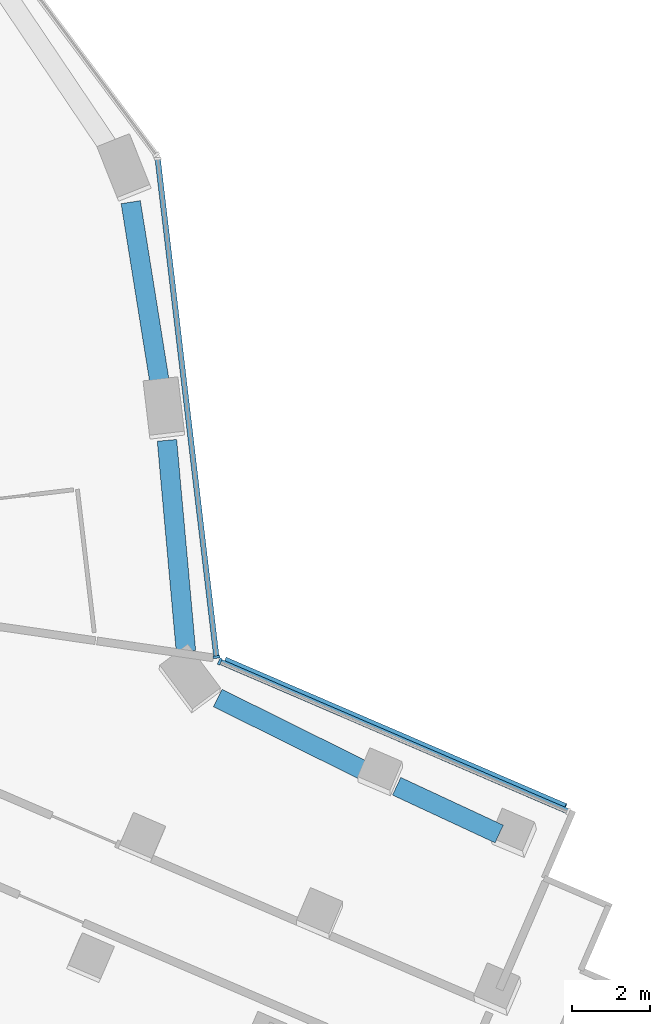
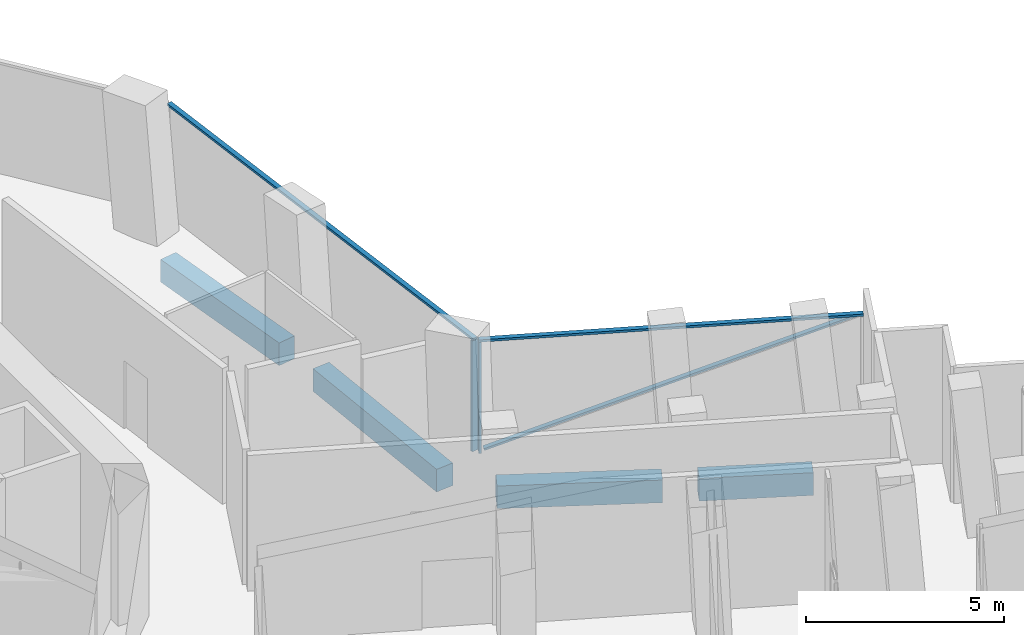
# One storey, part 5 of 17: 5 members, 4 beams, 2 elements without a shape of their own.
"""IFC4 building model written with IfcOpenShell, lengths in metres."""

import ifcopenshell
import ifcopenshell.guid

model = None  # the IFC model being written
_history = None  # IfcOwnerHistory: only IFC2X3 demands one
_inside = {}  # id of a spatial element -> (the spatial element, [elements in it])
_under = {}  # id of a project, library or spatial element -> (it, [spatial elements below it])
_declared = {}  # id of a project -> (the project, [libraries it declares])
_typed = {}  # id of a type object -> (the type object, [elements of that type])
_made_of = {}  # id of a material, layer set ... -> (it, [elements and type objects made of it])


def new_model(schema):
    """Start an empty IFC model of exactly this schema.

    Asked for "IFC4X3", IfcOpenShell would pick the latest addendum, in which some entities
    have other attributes; the version numbers below select the first issue.
    IFC2X3 requires an IfcOwnerHistory on every rooted entity: one is made here for all.
    """
    global model, _history
    if schema == "IFC4X3":
        model = ifcopenshell.file(schema_version=(4, 3, 0, 0))
    else:
        model = ifcopenshell.file(schema=schema)
    _inside.clear()
    _under.clear()
    _declared.clear()
    _typed.clear()
    _made_of.clear()
    _history = None
    if model.schema == "IFC2X3":
        org = make("IfcOrganization", Name="unknown")
        user = make(
            "IfcPersonAndOrganization",
            ThePerson=make("IfcPerson", FamilyName="unknown"),
            TheOrganization=org,
        )
        app = make(
            "IfcApplication",
            ApplicationDeveloper=org,
            Version="unknown",
            ApplicationFullName="unknown",
            ApplicationIdentifier="unknown",
        )
        _history = make(
            "IfcOwnerHistory",
            OwningUser=user,
            OwningApplication=app,
            ChangeAction="ADDED",
            CreationDate=0,
        )
    return model


def make(cls, **values):
    """One entity of the class cls with the attributes given. An attribute that is None is left unset."""
    return model.create_entity(
        cls, **{name: value for name, value in values.items() if value is not None}
    )


def rooted(cls, **values):
    """An entity with a GlobalId (a new one), such as an element, a storey or a relation."""
    return make(cls, GlobalId=ifcopenshell.guid.new(), OwnerHistory=_history, **values)


def si_unit(unit_type, name, prefix=None):
    """IfcSIUnit, for example si_unit("LENGTHUNIT", "METRE", prefix="MILLI")."""
    return make("IfcSIUnit", UnitType=unit_type, Prefix=prefix, Name=name)


def assignment(units):
    """IfcUnitAssignment: the units of a project."""
    return None if units is None else make("IfcUnitAssignment", Units=units)


def point(xyz):
    """IfcCartesianPoint."""
    return None if xyz is None else make("IfcCartesianPoint", Coordinates=xyz)


def direction(xyz):
    """IfcDirection."""
    return None if xyz is None else make("IfcDirection", DirectionRatios=xyz)


def frame(location, z_axis=None, x_axis=None):
    """IfcAxis2Placement3D, a coordinate frame: its origin and axes. An axis left out is left unset."""
    return make(
        "IfcAxis2Placement3D",
        Location=point(location),
        Axis=direction(z_axis),
        RefDirection=direction(x_axis),
    )


def frame_2d(location, x_axis=None):
    """IfcAxis2Placement2D, a coordinate frame in the plane: its origin and x axis."""
    return make(
        "IfcAxis2Placement2D", Location=point(location), RefDirection=direction(x_axis)
    )


def origin():
    """The frame at (0, 0, 0) with its axes left unset."""
    return frame((0.0, 0.0, 0.0))


def origin_2d():
    """The frame at (0, 0) in the plane with its x axis left unset."""
    return frame_2d((0.0, 0.0))


def place(relative_to, where):
    """IfcLocalPlacement: puts the frame where relative to a parent placement (None: the world)."""
    return make(
        "IfcLocalPlacement", PlacementRelTo=relative_to, RelativePlacement=where
    )


def context(
    kind, dimensions, precision=None, world=None, true_north=None, identifier=None
):
    """IfcGeometricRepresentationContext, for example the 3D "Model" context."""
    return make(
        "IfcGeometricRepresentationContext",
        ContextIdentifier=identifier,
        ContextType=kind,
        CoordinateSpaceDimension=dimensions,
        Precision=precision,
        WorldCoordinateSystem=world,
        TrueNorth=true_north,
    )


def subcontext(parent, identifier, kind, view, scale=None):
    """IfcGeometricRepresentationSubContext, for example "Body" below "Model"."""
    return make(
        "IfcGeometricRepresentationSubContext",
        ContextIdentifier=identifier,
        ContextType=kind,
        ParentContext=parent,
        TargetScale=scale,
        TargetView=view,
    )


def project(units=None, contexts=None):
    """IfcProject with its units and contexts."""
    return rooted(
        "IfcProject",
        Name="project",
        RepresentationContexts=contexts,
        UnitsInContext=assignment(units),
    )


def spatial(cls, under=None, at=None, **own):
    """A site, building, storey or space (cls), placed at a placement, below another one or the project."""
    s = rooted(cls, ObjectPlacement=at, **own)
    if under is not None:
        _under.setdefault(under.id(), (under, []))[1].append(s)
    return s


def profile(cls, at=None, kind="AREA", **sizes):
    """A parametric profile (cls). Its sizes go by their IFC names, for example OverallWidth=200.0."""
    return make(cls, ProfileType=kind, Position=at, **sizes)


def rectangle(**sizes):
    """IfcRectangleProfileDef."""
    return profile("IfcRectangleProfileDef", **sizes)


def extrude(swept, where, along, depth):
    """IfcExtrudedAreaSolid: the profile swept, set in the frame where, extruded along a direction by depth."""
    return make(
        "IfcExtrudedAreaSolid",
        SweptArea=swept,
        Position=where,
        ExtrudedDirection=direction(along),
        Depth=depth,
    )


def shape(context_of_items, identifier, shape_type, items):
    """IfcShapeRepresentation: the items that make up one representation, for example the "Body"."""
    return make(
        "IfcShapeRepresentation",
        ContextOfItems=context_of_items,
        RepresentationIdentifier=identifier,
        RepresentationType=shape_type,
        Items=items,
    )


def material(Name=None, Category=None):
    """IfcMaterial."""
    return make("IfcMaterial", Name=Name, Category=Category)


def layer(
    of_material, thickness, ventilated=None, Name=None, Category=None, Priority=None
):
    """IfcMaterialLayer: one layer of a wall or slab, of a material (None: an air gap)."""
    return make(
        "IfcMaterialLayer",
        Material=of_material,
        LayerThickness=thickness,
        IsVentilated=ventilated,
        Name=Name,
        Category=Category,
        Priority=Priority,
    )


def layer_set(layers, Name=None):
    """IfcMaterialLayerSet."""
    return make("IfcMaterialLayerSet", MaterialLayers=layers, LayerSetName=Name)


def material_profile(
    of_material, cross_section, Name=None, Category=None, Priority=None
):
    """IfcMaterialProfile: a cross section and its material."""
    return make(
        "IfcMaterialProfile",
        Name=Name,
        Material=of_material,
        Profile=cross_section,
        Priority=Priority,
        Category=Category,
    )


def profile_set(profiles, Name=None, composite=None):
    """IfcMaterialProfileSet."""
    return make(
        "IfcMaterialProfileSet",
        Name=Name,
        MaterialProfiles=profiles,
        CompositeProfile=composite,
    )


def made_of(thing, what):
    """Note that an element or type object is made of a material, layer set ...; save() writes the relation."""
    if what is not None:
        _made_of.setdefault(what.id(), (what, []))[1].append(thing)
    return thing


def type_object(cls, material=None, **own):
    """A type object (cls), such as IfcWallType, which elements share."""
    return made_of(rooted(cls, **own), material)


def element(
    cls,
    number,
    at=None,
    inside=None,
    cuts=None,
    type_object=None,
    material=None,
    context=None,
    identifier="Body",
    shape_type=None,
    held_by="IfcProductDefinitionShape",
    body=None,
    shapes=None,
    **own,
):
    """One element of the class cls, such as IfcWall. Its Tag is "e" and its number.

    at: its placement. inside: the storey or other place that contains it. cuts: it is an
    opening in that element (IfcRelVoidsElement). A single representation is given by context,
    identifier, shape_type and body (its items); several are given by shapes. held_by: the class
    of the entity that holds the representations. save() writes the other relations.
    """
    e = rooted(cls, Tag="e%d" % number, ObjectPlacement=at, **own)
    if body is not None:
        shapes = [shape(context, identifier, shape_type, body)]
    if shapes is not None:
        e.Representation = make(held_by, Representations=shapes)
    if inside is not None:
        _inside.setdefault(inside.id(), (inside, []))[1].append(e)
    if cuts is not None:
        rooted(
            "IfcRelVoidsElement", RelatingBuildingElement=cuts, RelatedOpeningElement=e
        )
    if type_object is not None:
        _typed.setdefault(type_object.id(), (type_object, []))[1].append(e)
    return made_of(e, material)


def aggregate(whole, parts):
    """IfcRelAggregates: a whole, such as a stair, and the parts it consists of."""
    return rooted("IfcRelAggregates", RelatingObject=whole, RelatedObjects=parts)


def save(model, path):
    """Write the relations noted so far, then the file.

    IfcRelAggregates (storeys below a building ...), IfcRelContainedInSpatialStructure (elements
    in a storey), IfcRelDefinesByType, IfcRelAssociatesMaterial and IfcRelDeclares: one each for
    every whole, place, type object, material and project.
    """
    for whole, parts in _under.values():
        aggregate(whole, parts)
    for where, things in _inside.values():
        rooted(
            "IfcRelContainedInSpatialStructure",
            RelatedElements=things,
            RelatingStructure=where,
        )
    for kind, things in _typed.values():
        rooted("IfcRelDefinesByType", RelatedObjects=things, RelatingType=kind)
    for what, things in _made_of.values():
        rooted("IfcRelAssociatesMaterial", RelatedObjects=things, RelatingMaterial=what)
    for by, libraries in _declared.values():
        rooted("IfcRelDeclares", RelatingContext=by, RelatedDefinitions=libraries)
    model.write(path)


model = new_model("IFC4")

# Units and contexts
model_context = context("Model", 3, precision=1e-05, world=origin(), true_north=direction((0.0, 1.0)))
body_context = subcontext(model_context, "Body", "Model", "MODEL_VIEW")
ifc_project = project(units=[si_unit("LENGTHUNIT", "METRE"), si_unit("AREAUNIT", "SQUARE_METRE"), si_unit("VOLUMEUNIT", "CUBIC_METRE"), si_unit("PLANEANGLEUNIT", "RADIAN"), si_unit("MASSUNIT", "GRAM", prefix="KILO")], contexts=[model_context])

# Site, building, storey
site_placement = place(None, origin())
site = spatial("IfcSite", under=ifc_project, at=site_placement, CompositionType="ELEMENT")
building_placement = place(site_placement, origin())
building = spatial("IfcBuilding", under=site, at=building_placement, Name="Verdalira Terraces Hotel", CompositionType="ELEMENT")
storey_placement = place(building_placement, frame((0.0, 0.0, 60.0)))
storey = spatial("IfcBuildingStorey", under=building, at=storey_placement, Name="L13", CompositionType="ELEMENT", Elevation=60.0)

# Curtain wall, member
ifc_material_1 = material(Name="Clear glass", Category="glass")
ifc_layer = layer(ifc_material_1, 0.179931640625)
ifc_layer_set = layer_set([ifc_layer], Name="CW4 curtain wall")
curtain_wall_type = type_object("IfcCurtainWallType", Name="CW4 curtain wall", PredefinedType="NOTDEFINED", material=ifc_layer_set)
curtain_wall_1_placement = place(storey_placement, origin())
curtain_wall_1 = element("IfcCurtainWall", 1, at=curtain_wall_1_placement, inside=storey, type_object=curtain_wall_type, Name="CW4 curtain wall L13 edge 38", PredefinedType="NOTDEFINED")
ifc_material_2 = material(Name="Terracotta frame", Category="masonry")
ifc_material_profile_1 = material_profile(ifc_material_2, rectangle(XDim=0.064941, YDim=0.179932, at=origin_2d()), Name="MU 65x180")
ifc_profile_set_1 = profile_set([ifc_material_profile_1], Name="Terracotta frame")
member_type_1 = type_object("IfcMemberType", Name="CW4 mullion 65x180", PredefinedType="MULLION", material=ifc_profile_set_1)
member_1_placement = place(storey_placement, frame((24.874268, -3.691406, 0.0), z_axis=(0.0, 0.0, 1.0), x_axis=(-0.918584397, 0.39522488, 0.0)))
member_1 = element("IfcMember", 2, at=member_1_placement, type_object=member_type_1, Name="CW4 mullion", PredefinedType="MULLION", context=body_context, shape_type="SweptSolid", body=[
    extrude(rectangle(XDim=0.064941, YDim=0.179932, at=origin_2d()), origin(), (0.0, 0.0, 1.0), 3.419922),
])

curtain_wall_2_placement = place(storey_placement, origin())
curtain_wall_2 = element("IfcCurtainWall", 3, at=curtain_wall_2_placement, inside=storey, type_object=curtain_wall_type, Name="CW4 curtain wall L13 edge 39", PredefinedType="NOTDEFINED")
member_2_placement = place(storey_placement, frame((24.786865, -3.574219, 0.0), z_axis=(0.0, 0.0, 1.0), x_axis=(-0.117017412, 0.993129863, 0.0)))
member_2 = element("IfcMember", 4, at=member_2_placement, type_object=member_type_1, Name="CW4 mullion", PredefinedType="MULLION", context=body_context, shape_type="SweptSolid", body=[
    extrude(rectangle(XDim=0.064941, YDim=0.179932, at=origin_2d()), origin(), (0.0, 0.0, 1.0), 3.419922),
])

# Member
ifc_material_3 = material(Name="Terracotta frame", Category="masonry")
ifc_material_profile_2 = material_profile(ifc_material_3, rectangle(XDim=0.139893, YDim=0.070068, at=origin_2d()), Name="TR 70x140")
ifc_profile_set_2 = profile_set([ifc_material_profile_2], Name="Terracotta frame")
member_type_2 = type_object("IfcMemberType", Name="CW4 transom 70x140", PredefinedType="USERDEFINED", material=ifc_profile_set_2)
member_3_placement = place(storey_placement, frame((33.845459, -7.551514, 3.455078), z_axis=(-0.918580917, 0.395232968, 0.0), x_axis=(-0.395232968, -0.918580917, 0.0)))
member_3 = element("IfcMember", 5, at=member_3_placement, type_object=member_type_2, Name="CW4 transom", ObjectType="TRANSOM", PredefinedType="USERDEFINED", context=body_context, shape_type="SweptSolid", body=[
    extrude(rectangle(XDim=0.139893, YDim=0.070068, at=origin_2d()), origin(), (0.0, 0.0, 1.0), 9.798828),
])

member_4_placement = place(storey_placement, frame((24.790771, -3.606445, 3.455078), z_axis=(-0.117029495, 0.99312844, 0.0), x_axis=(-0.99312844, -0.117029495, 0.0)))
member_4 = element("IfcMember", 6, at=member_4_placement, type_object=member_type_2, Name="CW4 transom", ObjectType="TRANSOM", PredefinedType="USERDEFINED", context=body_context, shape_type="SweptSolid", body=[
    extrude(rectangle(XDim=0.139893, YDim=0.070068, at=origin_2d()), origin(), (0.0, 0.0, 1.0), 12.942383),
])

aggregate(curtain_wall_2, [member_2, member_4])

ifc_material_4 = material(Name="Terracotta frame", Category="masonry")
ifc_material_profile_3 = material_profile(ifc_material_4, rectangle(XDim=0.149902, YDim=0.060059, at=origin_2d()), Name="GB 60x150")
ifc_profile_set_3 = profile_set([ifc_material_profile_3], Name="Terracotta frame")
member_type_3 = type_object("IfcMemberType", Name="Diagonal glazing bar 60x150", PredefinedType="USERDEFINED", material=ifc_profile_set_3)
member_5_placement = place(storey_placement, frame((33.747314, -7.407959, 3.391113), z_axis=(-0.86600776, 0.372599094, -0.333467351), x_axis=(-0.395220886, -0.918586115, 0.0)))
member_5 = element("IfcMember", 7, at=member_5_placement, type_object=member_type_3, Name="Diagonal glazing bar", ObjectType="GLAZING BAR", PredefinedType="USERDEFINED", context=body_context, shape_type="SweptSolid", body=[
    extrude(rectangle(XDim=0.149902, YDim=0.060059, at=origin_2d()), origin(), (0.0, 0.0, 1.0), 10.082031),
])

aggregate(curtain_wall_1, [member_1, member_3, member_5])

# Beams
ifc_material_5 = material(Name="Concrete C70", Category="concrete")
ifc_material_profile_4 = material_profile(ifc_material_5, rectangle(XDim=0.5, YDim=0.699951, at=origin_2d()), Name="RC 500X700")
ifc_profile_set_4 = profile_set([ifc_material_profile_4], Name="Concrete C70")
beam_type = type_object("IfcBeamType", Name="Spandrel beam RC 500X700 C70", PredefinedType="SPANDREL", material=ifc_profile_set_4)
beam_1_placement = place(storey_placement, frame((32.043701, -8.117188, -0.659912), z_axis=(-0.906543777, 0.422111811, 0.0), x_axis=(-0.422111811, -0.906543777, 0.0)))
element("IfcBeam", 8, at=beam_1_placement, inside=storey, type_object=beam_type, Name="Spandrel beam B28", PredefinedType="SPANDREL", context=body_context, shape_type="SweptSolid", body=[
    extrude(rectangle(XDim=0.5, YDim=0.699951, at=origin_2d()), origin(), (0.0, 0.0, 1.0), 2.902832),
])
beam_2_placement = place(storey_placement, frame((28.583252, -6.493408, -0.659912), z_axis=(-0.895783735, 0.444490157, 0.0), x_axis=(-0.444490157, -0.895783735, 0.0)))
element("IfcBeam", 9, at=beam_2_placement, inside=storey, type_object=beam_type, Name="Spandrel beam B29", PredefinedType="SPANDREL", context=body_context, shape_type="SweptSolid", body=[
    extrude(rectangle(XDim=0.5, YDim=0.699951, at=origin_2d()), origin(), (0.0, 0.0, 1.0), 4.198486),
])
beam_3_placement = place(storey_placement, frame((24.004883, -3.430664, -0.659912), z_axis=(-0.089637254, 0.995974479, 0.0), x_axis=(-0.995974479, -0.089637254, 0.0)))
element("IfcBeam", 10, at=beam_3_placement, inside=storey, type_object=beam_type, Name="Spandrel beam B30", PredefinedType="SPANDREL", context=body_context, shape_type="SweptSolid", body=[
    extrude(rectangle(XDim=0.5, YDim=0.699951, at=origin_2d()), origin(), (0.0, 0.0, 1.0), 5.439209),
])
beam_4_placement = place(storey_placement, frame((23.3396, 3.404297, -0.659912), z_axis=(-0.158226768, 0.9874028, 0.0), x_axis=(-0.9874028, -0.158226768, 0.0)))
element("IfcBeam", 11, at=beam_4_placement, inside=storey, type_object=beam_type, Name="Spandrel beam B31", PredefinedType="SPANDREL", context=body_context, shape_type="SweptSolid", body=[
    extrude(rectangle(XDim=0.5, YDim=0.699951, at=origin_2d()), origin(), (0.0, 0.0, 1.0), 4.755371),
])

save(model, "model.ifc")
